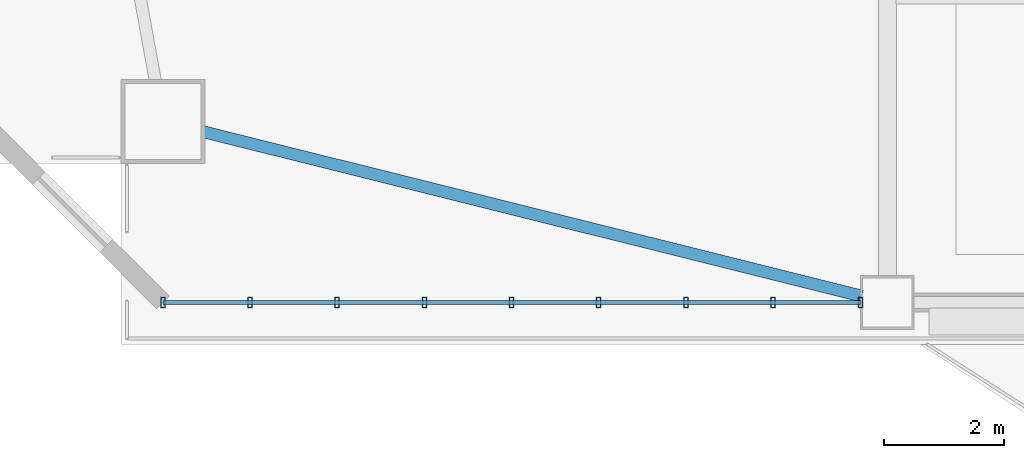
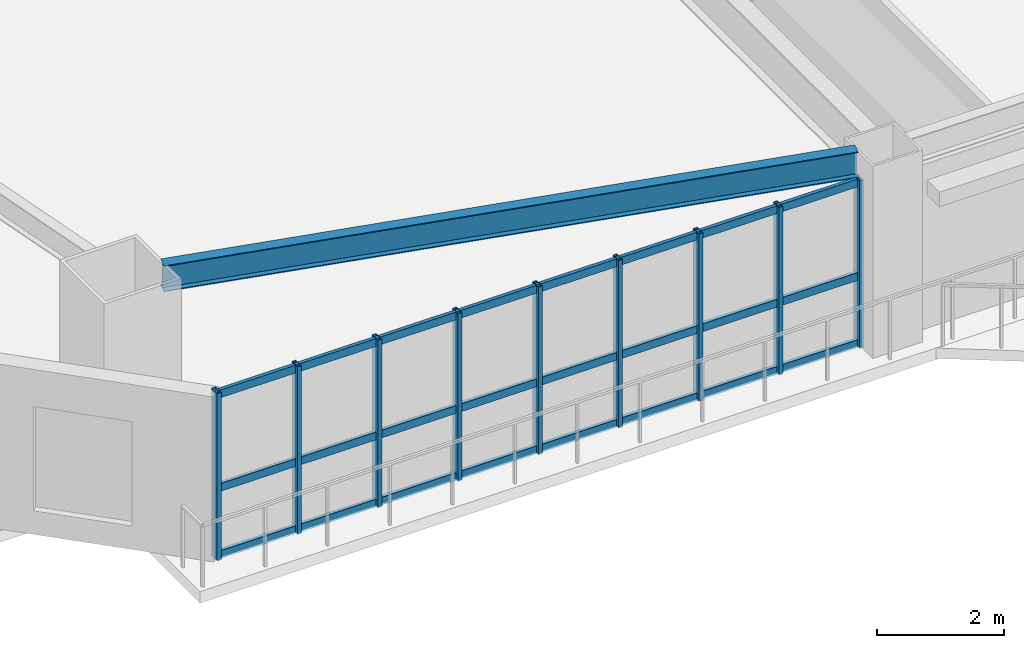
# One storey, part 2 of 15: 12 members, 1 beam, 1 element without a shape of its own.
"""IFC4 building model written with IfcOpenShell, lengths in metres."""

from ifc_helpers import new_model, si_unit, direction, frame, origin, origin_2d, place, context, subcontext, project, spatial, hollow_rectangle, i_section, extrude, source, transform, mapped, material, layer, layer_set, material_profile, profile_set, type_object, element, aggregate, save


model = new_model("IFC4")

# Units and contexts
model_context = context("Model", 3, precision=1e-05, world=origin(), true_north=direction((0.0, 1.0)))
body_context = subcontext(model_context, "Body", "Model", "MODEL_VIEW")
ifc_project = project(units=[si_unit("LENGTHUNIT", "METRE"), si_unit("AREAUNIT", "SQUARE_METRE"), si_unit("VOLUMEUNIT", "CUBIC_METRE"), si_unit("PLANEANGLEUNIT", "RADIAN"), si_unit("MASSUNIT", "GRAM", prefix="KILO")], contexts=[model_context])

# Site, building, storey
site_placement = place(None, origin())
site = spatial("IfcSite", under=ifc_project, at=site_placement, CompositionType="ELEMENT")
building_placement = place(site_placement, origin())
building = spatial("IfcBuilding", under=site, at=building_placement, Name="Giltprow Tower", CompositionType="ELEMENT")
storey_placement = place(building_placement, frame((0.0, 0.0, 111.39990234375)))
storey = spatial("IfcBuildingStorey", under=building, at=storey_placement, Name="L27", CompositionType="ELEMENT", Elevation=111.39990234375)

# Beam
ifc_material_1 = material(Name="Structural steel Q355B", Category="steel")
ifc_material_profile_1 = material_profile(ifc_material_1, i_section(OverallWidth=0.199951171875, OverallDepth=0.5, WebThickness=0.010009765625, FlangeThickness=0.01611328125, at=origin_2d()), Name="HN 500x200x10x16")
ifc_profile_set_1 = profile_set([ifc_material_profile_1], Name="Structural steel Q355B")
beam_type = type_object("IfcBeamType", Name="BM-SPAN-HN500", PredefinedType="SPANDREL", material=ifc_profile_set_1)
shared_shape_1 = source(origin(), body_context, "Body", "SweptSolid", [
    extrude(i_section(OverallWidth=0.199951171875, OverallDepth=0.5, WebThickness=0.010009765625, FlangeThickness=0.01611328125, at=origin_2d()), origin(), (0.0, 0.0, 1.0), 11.339599609375),
])
beam_placement = place(storey_placement, frame((8.426025390625, 9.841064453125, 3.43017578125), z_axis=(0.970233617996, -0.242170862223, 0.0), x_axis=(0.242170862223, 0.970233617996, 0.0)))
element("IfcBeam", 1, at=beam_placement, inside=storey, type_object=beam_type, Name="L27 Perimeter Spandrel Beam MC_SW-S1", PredefinedType="SPANDREL", context=body_context, shape_type="MappedRepresentation", body=[
    mapped(shared_shape_1, transform((0.0, 0.0, 0.0), x_axis=(1.0, 0.0, 0.0), y_axis=(0.0, 1.0, 0.0), z_axis=(0.0, 0.0, 1.0), scale=1.0)),
])

# Curtain wall, members
ifc_material_2 = material(Name="Anodized bronze", Category="metal")
ifc_layer = layer(ifc_material_2, 0.179931640625, Name="Anodized bronze")
ifc_layer_set = layer_set([ifc_layer], Name="Anodized bronze")
curtain_wall_type = type_object("IfcCurtainWallType", Name="CW-OFF-RECESSED", PredefinedType="NOTDEFINED", material=ifc_layer_set)
curtain_wall_placement = place(storey_placement, origin())
curtain_wall = element("IfcCurtainWall", 2, at=curtain_wall_placement, inside=storey, type_object=curtain_wall_type, Name="L27 South Recessed Curtain Wall 1", PredefinedType="NOTDEFINED")
ifc_material_profile_2 = material_profile(ifc_material_2, hollow_rectangle(XDim=0.074951171875, YDim=0.179931640625, WallThickness=0.008056640625, at=origin_2d()), Name="RHS 180x75x8")
ifc_profile_set_2 = profile_set([ifc_material_profile_2], Name="Anodized bronze")
member_type_1 = type_object("IfcMemberType", Name="CW-MULLION-180x75", PredefinedType="MULLION", material=ifc_profile_set_2)
shared_shape_2 = source(origin(), body_context, "Body", "SweptSolid", [
    extrude(hollow_rectangle(XDim=0.074951171875, YDim=0.179931640625, WallThickness=0.008056640625, at=origin_2d()), origin(), (0.0, 0.0, 1.0), 3.215087890625),
])
member_1_placement = place(storey_placement, frame((7.760986328125, 6.989990234375, -0.02001953125), z_axis=(0.0, 0.0, 1.0), x_axis=(1.0, 0.0, 0.0)))
member_1 = element("IfcMember", 3, at=member_1_placement, type_object=member_type_1, Name="L27 South Recessed Curtain Wall 1 Mullion 1", PredefinedType="MULLION", context=body_context, shape_type="MappedRepresentation", body=[
    mapped(shared_shape_2, transform((0.0, 0.0, 0.0), x_axis=(1.0, 0.0, 0.0), y_axis=(0.0, 1.0, 0.0), z_axis=(0.0, 0.0, 1.0), scale=1.0)),
])
member_2_placement = place(storey_placement, frame((9.216064453125, 6.989990234375, -0.02001953125), z_axis=(0.0, 0.0, 1.0), x_axis=(1.0, 0.0, 0.0)))
member_2 = element("IfcMember", 4, at=member_2_placement, type_object=member_type_1, Name="L27 South Recessed Curtain Wall 1 Mullion 2", PredefinedType="MULLION", context=body_context, shape_type="MappedRepresentation", body=[
    mapped(shared_shape_2, transform((0.0, 0.0, 0.0), x_axis=(1.0, 0.0, 0.0), y_axis=(0.0, 1.0, 0.0), z_axis=(0.0, 0.0, 1.0), scale=1.0)),
])
member_3_placement = place(storey_placement, frame((10.6708984375, 6.989990234375, -0.02001953125), z_axis=(0.0, 0.0, 1.0), x_axis=(1.0, 0.0, 0.0)))
member_3 = element("IfcMember", 5, at=member_3_placement, type_object=member_type_1, Name="L27 South Recessed Curtain Wall 1 Mullion 3", PredefinedType="MULLION", context=body_context, shape_type="MappedRepresentation", body=[
    mapped(shared_shape_2, transform((0.0, 0.0, 0.0), x_axis=(1.0, 0.0, 0.0), y_axis=(0.0, 1.0, 0.0), z_axis=(0.0, 0.0, 1.0), scale=1.0)),
])
member_4_placement = place(storey_placement, frame((12.1259765625, 6.989990234375, -0.02001953125), z_axis=(0.0, 0.0, 1.0), x_axis=(1.0, 0.0, 0.0)))
member_4 = element("IfcMember", 6, at=member_4_placement, type_object=member_type_1, Name="L27 South Recessed Curtain Wall 1 Mullion 4", PredefinedType="MULLION", context=body_context, shape_type="MappedRepresentation", body=[
    mapped(shared_shape_2, transform((0.0, 0.0, 0.0), x_axis=(1.0, 0.0, 0.0), y_axis=(0.0, 1.0, 0.0), z_axis=(0.0, 0.0, 1.0), scale=1.0)),
])
member_5_placement = place(storey_placement, frame((13.5810546875, 6.989990234375, -0.02001953125), z_axis=(0.0, 0.0, 1.0), x_axis=(1.0, 0.0, 0.0)))
member_5 = element("IfcMember", 7, at=member_5_placement, type_object=member_type_1, Name="L27 South Recessed Curtain Wall 1 Mullion 5", PredefinedType="MULLION", context=body_context, shape_type="MappedRepresentation", body=[
    mapped(shared_shape_2, transform((0.0, 0.0, 0.0), x_axis=(1.0, 0.0, 0.0), y_axis=(0.0, 1.0, 0.0), z_axis=(0.0, 0.0, 1.0), scale=1.0)),
])
member_6_placement = place(storey_placement, frame((15.034912109375, 6.989990234375, -0.02001953125), z_axis=(0.0, 0.0, 1.0), x_axis=(1.0, 0.0, 0.0)))
member_6 = element("IfcMember", 8, at=member_6_placement, type_object=member_type_1, Name="L27 South Recessed Curtain Wall 1 Mullion 6", PredefinedType="MULLION", context=body_context, shape_type="MappedRepresentation", body=[
    mapped(shared_shape_2, transform((0.0, 0.0, 0.0), x_axis=(1.0, 0.0, 0.0), y_axis=(0.0, 1.0, 0.0), z_axis=(0.0, 0.0, 1.0), scale=1.0)),
])
member_7_placement = place(storey_placement, frame((16.489990234375, 6.989990234375, -0.02001953125), z_axis=(0.0, 0.0, 1.0), x_axis=(1.0, 0.0, 0.0)))
member_7 = element("IfcMember", 9, at=member_7_placement, type_object=member_type_1, Name="L27 South Recessed Curtain Wall 1 Mullion 7", PredefinedType="MULLION", context=body_context, shape_type="MappedRepresentation", body=[
    mapped(shared_shape_2, transform((0.0, 0.0, 0.0), x_axis=(1.0, 0.0, 0.0), y_axis=(0.0, 1.0, 0.0), z_axis=(0.0, 0.0, 1.0), scale=1.0)),
])
member_8_placement = place(storey_placement, frame((17.945068359375, 6.989990234375, -0.02001953125), z_axis=(0.0, 0.0, 1.0), x_axis=(1.0, 0.0, 0.0)))
member_8 = element("IfcMember", 10, at=member_8_placement, type_object=member_type_1, Name="L27 South Recessed Curtain Wall 1 Mullion 8", PredefinedType="MULLION", context=body_context, shape_type="MappedRepresentation", body=[
    mapped(shared_shape_2, transform((0.0, 0.0, 0.0), x_axis=(1.0, 0.0, 0.0), y_axis=(0.0, 1.0, 0.0), z_axis=(0.0, 0.0, 1.0), scale=1.0)),
])
member_9_placement = place(storey_placement, frame((19.39990234375, 6.989990234375, -0.02001953125), z_axis=(0.0, 0.0, 1.0), x_axis=(1.0, 0.0, 0.0)))
member_9 = element("IfcMember", 11, at=member_9_placement, type_object=member_type_1, Name="L27 South Recessed Curtain Wall 1 Mullion 9", PredefinedType="MULLION", context=body_context, shape_type="MappedRepresentation", body=[
    mapped(shared_shape_2, transform((0.0, 0.0, 0.0), x_axis=(1.0, 0.0, 0.0), y_axis=(0.0, 1.0, 0.0), z_axis=(0.0, 0.0, 1.0), scale=1.0)),
])
ifc_material_profile_3 = material_profile(ifc_material_2, hollow_rectangle(XDim=0.06494140625, YDim=0.14990234375, WallThickness=0.006103515625, at=origin_2d()), Name="RHS 150x65x6")
ifc_profile_set_3 = profile_set([ifc_material_profile_3], Name="Anodized bronze")
member_type_2 = type_object("IfcMemberType", Name="CW-TRANSOM-150x65", PredefinedType="USERDEFINED", material=ifc_profile_set_3)
shared_shape_3 = source(origin(), body_context, "Body", "SweptSolid", [
    extrude(hollow_rectangle(XDim=0.06494140625, YDim=0.14990234375, WallThickness=0.006103515625, at=origin_2d()), origin(), (0.0, 0.0, 1.0), 11.638916015625),
])
member_10_placement = place(storey_placement, frame((7.760986328125, 6.989990234375, 0.0400390625), z_axis=(1.0, 0.0, 0.0), x_axis=(0.0, 1.0, 0.0)))
member_10 = element("IfcMember", 12, at=member_10_placement, type_object=member_type_2, Name="L27 South Recessed Curtain Wall 1 Transom 1", ObjectType="TRANSOM", PredefinedType="USERDEFINED", context=body_context, shape_type="MappedRepresentation", body=[
    mapped(shared_shape_3, transform((0.0, 0.0, 0.0), x_axis=(1.0, 0.0, 0.0), y_axis=(0.0, 1.0, 0.0), z_axis=(0.0, 0.0, 1.0), scale=1.0)),
])
member_11_placement = place(storey_placement, frame((7.760986328125, 6.989990234375, 1.3271484375), z_axis=(1.0, 0.0, 0.0), x_axis=(0.0, 1.0, 0.0)))
member_11 = element("IfcMember", 13, at=member_11_placement, type_object=member_type_2, Name="L27 South Recessed Curtain Wall 1 Transom 2", ObjectType="TRANSOM", PredefinedType="USERDEFINED", context=body_context, shape_type="MappedRepresentation", body=[
    mapped(shared_shape_3, transform((0.0, 0.0, 0.0), x_axis=(1.0, 0.0, 0.0), y_axis=(0.0, 1.0, 0.0), z_axis=(0.0, 0.0, 1.0), scale=1.0)),
])
member_12_placement = place(storey_placement, frame((7.760986328125, 6.989990234375, 3.1201171875), z_axis=(1.0, 0.0, 0.0), x_axis=(0.0, 1.0, 0.0)))
member_12 = element("IfcMember", 14, at=member_12_placement, type_object=member_type_2, Name="L27 South Recessed Curtain Wall 1 Transom 3", ObjectType="TRANSOM", PredefinedType="USERDEFINED", context=body_context, shape_type="MappedRepresentation", body=[
    mapped(shared_shape_3, transform((0.0, 0.0, 0.0), x_axis=(1.0, 0.0, 0.0), y_axis=(0.0, 1.0, 0.0), z_axis=(0.0, 0.0, 1.0), scale=1.0)),
])
aggregate(curtain_wall, [member_1, member_2, member_3, member_4, member_5, member_6, member_7, member_8, member_9, member_10, member_11, member_12])

save(model, "model.ifc")
